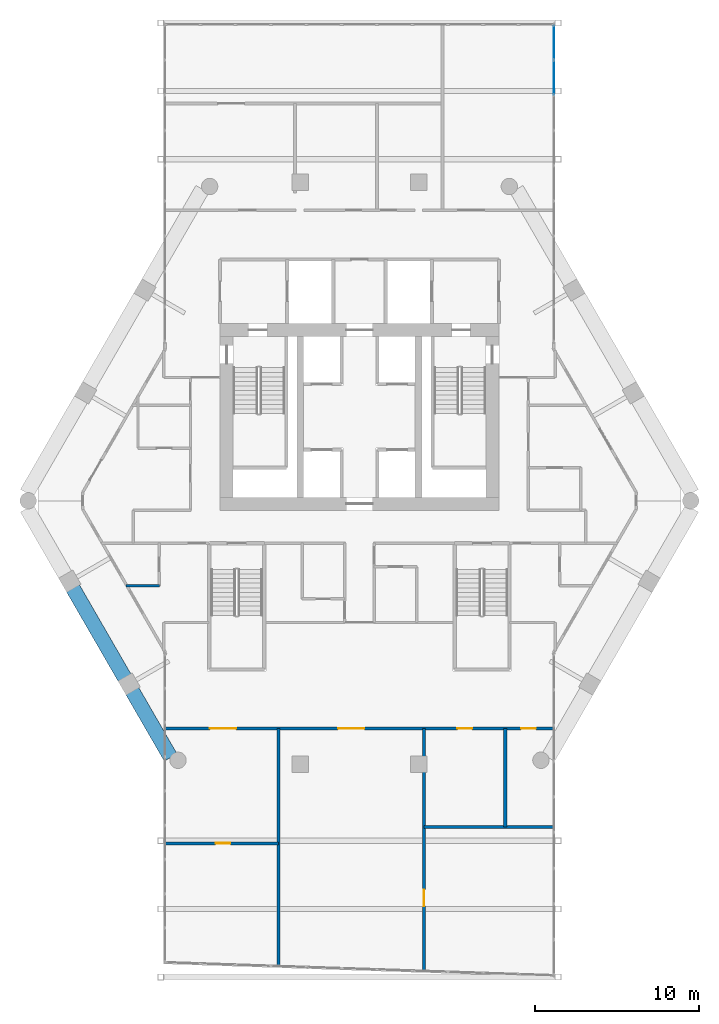
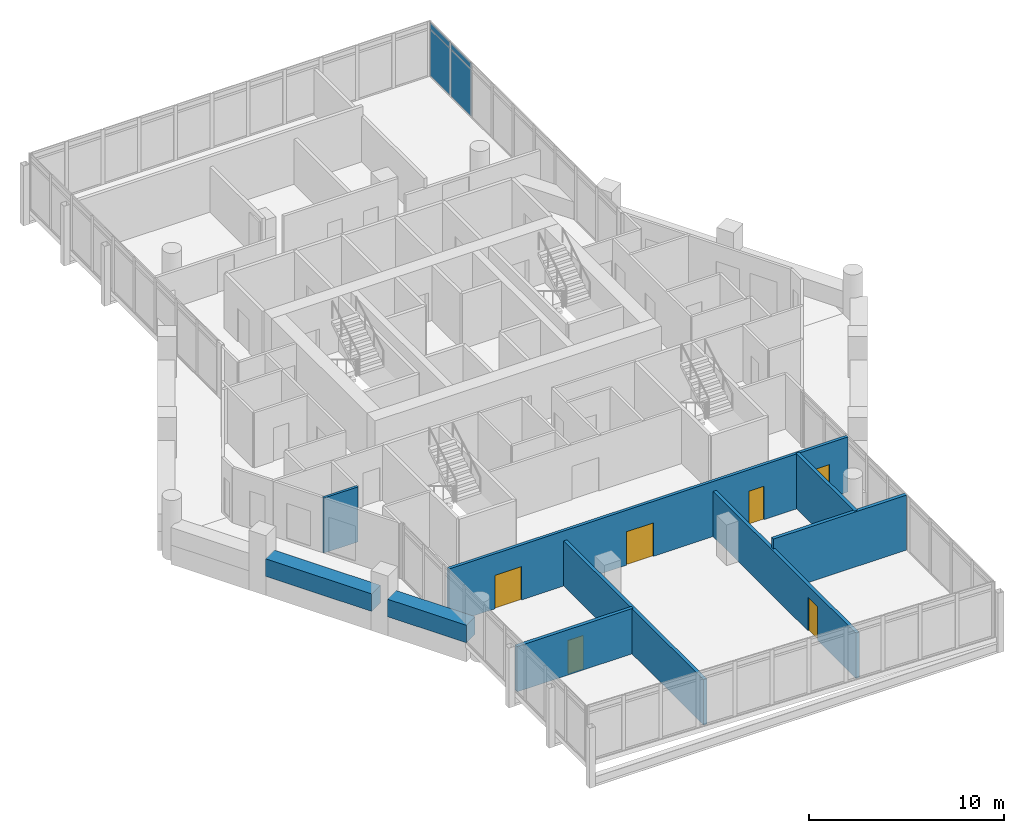
# One storey, part 24 of 29: 9 walls, 6 doors, 4 plates, 6 openings, 1 element without a shape of its own.
"""IFC4 building model written with IfcOpenShell, lengths in metres."""

from ifc_helpers import new_model, si_unit, direction, frame, frame_2d, origin, origin_2d, place, context, subcontext, project, spatial, rectangle, extrude, material, layer, layer_set, type_object, element, fill, aggregate, save


model = new_model("IFC4")

# Units and contexts
model_context = context("Model", 3, precision=1e-05, world=origin(), true_north=direction((0.0, 1.0)))
body_context = subcontext(model_context, "Body", "Model", "MODEL_VIEW")
ifc_project = project(units=[si_unit("LENGTHUNIT", "METRE"), si_unit("AREAUNIT", "SQUARE_METRE"), si_unit("VOLUMEUNIT", "CUBIC_METRE"), si_unit("PLANEANGLEUNIT", "RADIAN"), si_unit("MASSUNIT", "GRAM", prefix="KILO")], contexts=[model_context])

# Site, building, storey
site_placement = place(None, origin())
site = spatial("IfcSite", under=ifc_project, at=site_placement, CompositionType="ELEMENT")
building_placement = place(site_placement, origin())
building = spatial("IfcBuilding", under=site, at=building_placement, Name="Ostrander Bayou Hotel Tower", CompositionType="ELEMENT")
storey_placement = place(building_placement, frame((0.0, 0.0, 202.0)))
storey = spatial("IfcBuildingStorey", under=building, at=storey_placement, Name="L50", CompositionType="ELEMENT", Elevation=202.0)

# Curtain wall, plates
ifc_material_1 = material(Name="Aluminium and clear glass", Category="aluminium")
curtain_wall_type = type_object("IfcCurtainWallType", Name="CW-BAR glazed wall", PredefinedType="NOTDEFINED", material=ifc_material_1)
curtain_wall_placement = place(storey_placement, origin())
curtain_wall = element("IfcCurtainWall", 1, at=curtain_wall_placement, inside=storey, type_object=curtain_wall_type, Name="CW-BAR L50:SB4N:W", PredefinedType="NOTDEFINED")
ifc_material_2 = material(Name="Clear laminated glass", Category="glass")
ifc_layer_1 = layer(ifc_material_2, 0.028076171875)
ifc_layer_set_1 = layer_set([ifc_layer_1], Name="CW-BR glazing panel 28 mm")
plate_type = type_object("IfcPlateType", Name="CW-BR glazing panel 28 mm", PredefinedType="CURTAIN_PANEL", material=ifc_layer_set_1)
plate_1_placement = place(storey_placement, frame((11.857177734375, 24.69091796875, 0.06005859375), z_axis=(0.0, 0.0, 1.0), x_axis=(0.0, 1.0, 0.0)))
plate_1 = element("IfcPlate", 2, at=plate_1_placement, type_object=plate_type, Name="CW-BAR panel 8.1", PredefinedType="CURTAIN_PANEL", context=body_context, shape_type="SweptSolid", body=[
    extrude(rectangle(XDim=2.090087890625, YDim=0.028076171875, at=origin_2d()), origin(), (0.0, 0.0, 1.0), 2.909912109375),
])
plate_2_placement = place(storey_placement, frame((11.857177734375, 24.69091796875, 3.02978515625), z_axis=(0.0, 0.0, 1.0), x_axis=(0.0, 1.0, 0.0)))
plate_2 = element("IfcPlate", 3, at=plate_2_placement, type_object=plate_type, Name="CW-BAR panel 8.2", PredefinedType="CURTAIN_PANEL", context=body_context, shape_type="SweptSolid", body=[
    extrude(rectangle(XDim=2.090087890625, YDim=0.028076171875, at=origin_2d()), origin(), (0.0, 0.0, 1.0), 0.360107421875),
])
plate_3_placement = place(storey_placement, frame((11.857177734375, 26.825927734375, 0.06005859375), z_axis=(0.0, 0.0, 1.0), x_axis=(0.0, 1.0, 0.0)))
plate_3 = element("IfcPlate", 4, at=plate_3_placement, type_object=plate_type, Name="CW-BAR panel 9.1", PredefinedType="CURTAIN_PANEL", context=body_context, shape_type="SweptSolid", body=[
    extrude(rectangle(XDim=2.060302734375, YDim=0.028076171875, at=origin_2d()), origin(), (0.0, 0.0, 1.0), 2.909912109375),
])
plate_4_placement = place(storey_placement, frame((11.857177734375, 26.825927734375, 3.02978515625), z_axis=(0.0, 0.0, 1.0), x_axis=(0.0, 1.0, 0.0)))
plate_4 = element("IfcPlate", 5, at=plate_4_placement, type_object=plate_type, Name="CW-BAR panel 9.2", PredefinedType="CURTAIN_PANEL", context=body_context, shape_type="SweptSolid", body=[
    extrude(rectangle(XDim=2.060302734375, YDim=0.028076171875, at=origin_2d()), origin(), (0.0, 0.0, 1.0), 0.360107421875),
])
aggregate(curtain_wall, [plate_1, plate_2, plate_3, plate_4])

# Walls
ifc_material_3 = material(Name="Limestone masonry", Category="masonry")
ifc_layer_2 = layer(ifc_material_3, 0.89990234375)
ifc_layer_set_2 = layer_set([ifc_layer_2], Name="PA2 limestone parapet 900 mm")
wall_type_1 = type_object("IfcWallType", Name="PA2 limestone parapet 900 mm", PredefinedType="PARAPET", material=ifc_layer_set_2)
wall_1_placement = place(storey_placement, frame((-17.465576171875, -6.44873046875, 0.0), z_axis=(0.0, 0.0, 1.0), x_axis=(0.500013351051, -0.866017695414, 0.0)))
element("IfcWall", 6, at=wall_1_placement, inside=storey, type_object=wall_type_1, Name="PA2 L50 SW-2", PredefinedType="PARAPET", context=body_context, shape_type="SweptSolid", body=[
    extrude(rectangle(XDim=6.296142578125, YDim=0.89990234375, at=frame_2d((3.14794921875, 0.0))), origin(), (0.0, 0.0, 1.0), 1.10009765625),
])
wall_2_placement = place(storey_placement, frame((-13.847412109375, -12.71533203125, 0.0), z_axis=(0.0, 0.0, 1.0), x_axis=(0.499966354109, -0.866044828377, 0.0)))
element("IfcWall", 7, at=wall_2_placement, inside=storey, type_object=wall_type_1, Name="PA2 L50 SW-3", PredefinedType="PARAPET", context=body_context, shape_type="SweptSolid", body=[
    extrude(rectangle(XDim=4.678955078125, YDim=0.89990234375, at=frame_2d((2.33935546875, 0.0))), origin(), (0.0, 0.0, 1.0), 1.10009765625),
])

# Wall, opening, door
ifc_material_4 = material(Name="Gypsum board partition", Category="finish")
ifc_layer_3 = layer(ifc_material_4, 0.199951171875)
ifc_layer_set_3 = layer_set([ifc_layer_3], Name="PT3 demising wall 200 mm acoustic double stud, 1 hour")
wall_type_2 = type_object("IfcWallType", Name="PT3 demising wall 200 mm acoustic double stud, 1 hour", PredefinedType="PARTITIONING", material=ifc_layer_set_3)
wall_3_placement = place(storey_placement, frame((-11.838134765625, -22.0, 0.0), z_axis=(0.0, 0.0, 1.0), x_axis=(1.0, 0.0, 0.0)))
wall_3 = element("IfcWall", 8, at=wall_3_placement, inside=storey, type_object=wall_type_2, Name="sw:L50:504", PredefinedType="PARTITIONING", context=body_context, shape_type="SweptSolid", body=[
    extrude(rectangle(XDim=6.906005859375, YDim=0.199951171875, at=frame_2d((3.453125, 0.0))), origin(), (0.0, 0.0, 1.0), 2.8388671875),
])
opening_1_placement = place(wall_3_placement, frame((3.071044921875, 0.0, 0.0)))
opening_1 = element("IfcOpeningElement", 9, at=opening_1_placement, cuts=wall_3, Name="Opening T50-1201", PredefinedType="OPENING", context=body_context, shape_type="SweptSolid", body=[
    extrude(rectangle(XDim=0.89990234375, YDim=2.10009765625, at=frame_2d((0.449951171875, 1.050048828125))), frame((0.0, 0.10009765625, 0.0), z_axis=(0.0, -1.0, 0.0), x_axis=(1.0, 0.0, 0.0)), (0.0, 0.0, 1.0), 0.199951171875),
])
ifc_material_5 = material(Name="Timber door leaf", Category="wood")
door_type_1 = type_object("IfcDoorType", Name="D8 room door 900 x 2100 mm", OperationType="SINGLE_SWING_LEFT", PredefinedType="DOOR", material=ifc_material_5)
door_1_placement = place(opening_1_placement, origin())
door_1 = element("IfcDoor", 10, at=door_1_placement, inside=storey, type_object=door_type_1, Name="dr:L50:1201", OperationType="SINGLE_SWING_LEFT", OverallHeight=2.10009765625, OverallWidth=0.89990234375, PredefinedType="DOOR", context=body_context, shape_type="SweptSolid", body=[
    extrude(rectangle(XDim=0.89990234375, YDim=2.10009765625, at=frame_2d((0.449951171875, 1.050048828125))), frame((0.0, 0.02490234375, 0.0), z_axis=(0.0, -1.0, 0.0), x_axis=(1.0, 0.0, 0.0)), (0.0, 0.0, 1.0), 0.050048828125),
])
fill(opening_1, door_1)

# Walls
wall_4_placement = place(storey_placement, frame((3.93212890625, -21.0, 0.0), z_axis=(0.0, 0.0, 1.0), x_axis=(1.0, 0.0, 0.0)))
element("IfcWall", 11, at=wall_4_placement, inside=storey, type_object=wall_type_2, Name="sw:L50:505", PredefinedType="PARTITIONING", context=body_context, shape_type="SweptSolid", body=[
    extrude(rectangle(XDim=7.906005859375, YDim=0.199951171875, at=frame_2d((3.953125, 0.0))), origin(), (0.0, 0.0, 1.0), 3.449951171875),
])
wall_5_placement = place(storey_placement, frame((-4.931884765625, -29.4658203125, 0.0), z_axis=(0.0, 0.0, 1.0), x_axis=(0.0, 1.0, 0.0)))
element("IfcWall", 12, at=wall_5_placement, inside=storey, type_object=wall_type_2, Name="sw:L50:507", PredefinedType="PARTITIONING", context=body_context, shape_type="SweptSolid", body=[
    extrude(rectangle(XDim=14.4658203125, YDim=0.199951171875, at=frame_2d((7.23291015625, 0.0))), origin(), (0.0, 0.0, 1.0), 2.8388671875),
])

# Wall, opening, door
wall_6_placement = place(storey_placement, frame((3.931884765625, -29.7626953125, 0.0), z_axis=(0.0, 0.0, 1.0), x_axis=(0.0, 1.0, 0.0)))
wall_6 = element("IfcWall", 13, at=wall_6_placement, inside=storey, type_object=wall_type_2, Name="sw:L50:510", PredefinedType="PARTITIONING", context=body_context, shape_type="SweptSolid", body=[
    extrude(rectangle(XDim=14.7626953125, YDim=0.199951171875, at=frame_2d((7.38134765625, 0.0))), origin(), (0.0, 0.0, 1.0), 2.8388671875),
])
opening_2_placement = place(wall_6_placement, frame((3.93701171875, 0.0, 0.0)))
opening_2 = element("IfcOpeningElement", 14, at=opening_2_placement, cuts=wall_6, Name="Opening T50-1202", PredefinedType="OPENING", context=body_context, shape_type="SweptSolid", body=[
    extrude(rectangle(XDim=1.0, YDim=2.10009765625, at=frame_2d((0.5, 1.050048828125))), frame((0.0, 0.10009765625, 0.0), z_axis=(0.0, -1.0, 0.0), x_axis=(1.0, 0.0, 0.0)), (0.0, 0.0, 1.0), 0.199951171875),
])
ifc_material_6 = material(Name="Timber door leaf", Category="wood")
door_type_2 = type_object("IfcDoorType", Name="D9 service door 1000 x 2100 mm, 30 minute", OperationType="SINGLE_SWING_LEFT", PredefinedType="DOOR", material=ifc_material_6)
door_2_placement = place(opening_2_placement, origin())
door_2 = element("IfcDoor", 15, at=door_2_placement, inside=storey, type_object=door_type_2, Name="dr:L50:1202", OperationType="SINGLE_SWING_RIGHT", OverallHeight=2.10009765625, OverallWidth=1.0, PredefinedType="DOOR", context=body_context, shape_type="SweptSolid", body=[
    extrude(rectangle(XDim=1.0, YDim=2.10009765625, at=frame_2d((0.5, 1.050048828125))), frame((0.0, 0.02490234375, 0.0), z_axis=(0.0, -1.0, 0.0), x_axis=(1.0, 0.0, 0.0)), (0.0, 0.0, 1.0), 0.050048828125),
])
fill(opening_2, door_2)

# Wall
wall_7_placement = place(storey_placement, frame((8.89208984375, -21.0, 0.0), z_axis=(0.0, 0.0, 1.0), x_axis=(0.0, 1.0, 0.0)))
element("IfcWall", 16, at=wall_7_placement, inside=storey, type_object=wall_type_2, Name="sw:L50:512", PredefinedType="PARTITIONING", context=body_context, shape_type="SweptSolid", body=[
    extrude(rectangle(XDim=6.0, YDim=0.199951171875, at=frame_2d((3.0, 0.0))), origin(), (0.0, 0.0, 1.0), 3.449951171875),
])

# Wall, openings, doors
ifc_material_7 = material(Name="Gypsum board partition", Category="finish")
ifc_layer_4 = layer(ifc_material_7, 0.175048828125)
ifc_layer_set_4 = layer_set([ifc_layer_4], Name="PT4 corridor wall 175 mm, 1 hour")
wall_type_3 = type_object("IfcWallType", Name="PT4 corridor wall 175 mm, 1 hour", PredefinedType="PARTITIONING", material=ifc_layer_set_4)
wall_8_placement = place(storey_placement, frame((-11.838134765625, -15.0, 0.0), z_axis=(0.0, 0.0, 1.0), x_axis=(1.0, 0.0, 0.0)))
wall_8 = element("IfcWall", 17, at=wall_8_placement, inside=storey, type_object=wall_type_3, Name="sw:L50:500", PredefinedType="PARTITIONING", context=body_context, shape_type="SweptSolid", body=[
    extrude(rectangle(XDim=23.67626953125, YDim=0.175048828125, at=frame_2d((11.838134765625, 0.0))), origin(), (0.0, 0.0, 1.0), 3.449951171875),
])
opening_3_placement = place(wall_8_placement, frame((2.720947265625, 0.0, 0.0)))
opening_3 = element("IfcOpeningElement", 18, at=opening_3_placement, cuts=wall_8, Name="Opening T50-1200", PredefinedType="OPENING", context=body_context, shape_type="SweptSolid", body=[
    extrude(rectangle(XDim=1.60009765625, YDim=2.10009765625, at=frame_2d((0.800048828125, 1.050048828125))), frame((0.0, 0.08740234375, 0.0), z_axis=(0.0, -1.0, 0.0), x_axis=(1.0, 0.0, 0.0)), (0.0, 0.0, 1.0), 0.175048828125),
])
opening_4_placement = place(wall_8_placement, frame((17.80029296875, 0.0, 0.0)))
opening_4 = element("IfcOpeningElement", 19, at=opening_4_placement, cuts=wall_8, Name="Opening T50-1203", PredefinedType="OPENING", context=body_context, shape_type="SweptSolid", body=[
    extrude(rectangle(XDim=0.89990234375, YDim=2.10009765625, at=frame_2d((0.449951171875, 1.050048828125))), frame((0.0, 0.08740234375, 0.0), z_axis=(0.0, -1.0, 0.0), x_axis=(1.0, 0.0, 0.0)), (0.0, 0.0, 1.0), 0.175048828125),
])
opening_5_placement = place(wall_8_placement, frame((21.685302734375, 0.0, 0.0)))
opening_5 = element("IfcOpeningElement", 20, at=opening_5_placement, cuts=wall_8, Name="Opening T50-1204", PredefinedType="OPENING", context=body_context, shape_type="SweptSolid", body=[
    extrude(rectangle(XDim=0.89990234375, YDim=2.10009765625, at=frame_2d((0.449951171875, 1.050048828125))), frame((0.0, 0.08740234375, 0.0), z_axis=(0.0, -1.0, 0.0), x_axis=(1.0, 0.0, 0.0)), (0.0, 0.0, 1.0), 0.175048828125),
])
opening_6_placement = place(wall_8_placement, frame((10.5380859375, 0.0, 0.0)))
opening_6 = element("IfcOpeningElement", 21, at=opening_6_placement, cuts=wall_8, Name="Opening T50-1205", PredefinedType="OPENING", context=body_context, shape_type="SweptSolid", body=[
    extrude(rectangle(XDim=1.60009765625, YDim=2.10009765625, at=frame_2d((0.800048828125, 1.050048828125))), frame((0.0, 0.08740234375, 0.0), z_axis=(0.0, -1.0, 0.0), x_axis=(1.0, 0.0, 0.0)), (0.0, 0.0, 1.0), 0.175048828125),
])
ifc_material_8 = material(Name="Timber door leaf", Category="wood")
door_type_3 = type_object("IfcDoorType", Name="D13 double door 1600 x 2100 mm, 1 hour", OperationType="SINGLE_SWING_LEFT", PredefinedType="DOOR", material=ifc_material_8)
door_3_placement = place(opening_3_placement, origin())
door_3 = element("IfcDoor", 22, at=door_3_placement, inside=storey, type_object=door_type_3, Name="dr:L50:1200", OperationType="DOUBLE_DOOR_SINGLE_SWING", OverallHeight=2.10009765625, OverallWidth=1.60009765625, PredefinedType="DOOR", context=body_context, shape_type="SweptSolid", body=[
    extrude(rectangle(XDim=1.60009765625, YDim=2.10009765625, at=frame_2d((0.800048828125, 1.050048828125))), frame((0.0, 0.02490234375, 0.0), z_axis=(0.0, -1.0, 0.0), x_axis=(1.0, 0.0, 0.0)), (0.0, 0.0, 1.0), 0.050048828125),
])
fill(opening_3, door_3)
door_4_placement = place(opening_6_placement, origin())
door_4 = element("IfcDoor", 23, at=door_4_placement, inside=storey, type_object=door_type_3, Name="dr:L50:1205", OperationType="DOUBLE_DOOR_SINGLE_SWING", OverallHeight=2.10009765625, OverallWidth=1.60009765625, PredefinedType="DOOR", context=body_context, shape_type="SweptSolid", body=[
    extrude(rectangle(XDim=1.60009765625, YDim=2.10009765625, at=frame_2d((0.800048828125, 1.050048828125))), frame((0.0, 0.02490234375, 0.0), z_axis=(0.0, -1.0, 0.0), x_axis=(1.0, 0.0, 0.0)), (0.0, 0.0, 1.0), 0.050048828125),
])
fill(opening_6, door_4)
door_5_placement = place(opening_4_placement, origin())
door_5 = element("IfcDoor", 24, at=door_5_placement, inside=storey, type_object=door_type_1, Name="dr:L50:1203", OperationType="SINGLE_SWING_LEFT", OverallHeight=2.10009765625, OverallWidth=0.89990234375, PredefinedType="DOOR", context=body_context, shape_type="SweptSolid", body=[
    extrude(rectangle(XDim=0.89990234375, YDim=2.10009765625, at=frame_2d((0.449951171875, 1.050048828125))), frame((0.0, 0.02490234375, 0.0), z_axis=(0.0, -1.0, 0.0), x_axis=(1.0, 0.0, 0.0)), (0.0, 0.0, 1.0), 0.050048828125),
])
fill(opening_4, door_5)
door_6_placement = place(opening_5_placement, origin())
door_6 = element("IfcDoor", 25, at=door_6_placement, inside=storey, type_object=door_type_1, Name="dr:L50:1204", OperationType="SINGLE_SWING_RIGHT", OverallHeight=2.10009765625, OverallWidth=0.89990234375, PredefinedType="DOOR", context=body_context, shape_type="SweptSolid", body=[
    extrude(rectangle(XDim=0.89990234375, YDim=2.10009765625, at=frame_2d((0.449951171875, 1.050048828125))), frame((0.0, 0.02490234375, 0.0), z_axis=(0.0, -1.0, 0.0), x_axis=(1.0, 0.0, 0.0)), (0.0, 0.0, 1.0), 0.050048828125),
])
fill(opening_5, door_6)

# Wall
ifc_material_9 = material(Name="Gypsum board partition", Category="finish")
ifc_layer_5 = layer(ifc_material_9, 0.14990234375)
ifc_layer_set_5 = layer_set([ifc_layer_5], Name="PT8 service band wall 150 mm, 1 hour")
wall_type_4 = type_object("IfcWallType", Name="PT8 service band wall 150 mm, 1 hour", PredefinedType="PARTITIONING", material=ifc_layer_set_5)
wall_9_placement = place(storey_placement, frame((-14.22607421875, -6.300048828125, 0.0), z_axis=(0.0, 0.0, 1.0), x_axis=(1.0, 0.0, 0.0)))
element("IfcWall", 26, at=wall_9_placement, inside=storey, type_object=wall_type_4, Name="gw:L50:005", PredefinedType="PARTITIONING", context=body_context, shape_type="SweptSolid", body=[
    extrude(rectangle(XDim=2.026123046875, YDim=0.14990234375, at=frame_2d((1.01318359375, 0.0))), origin(), (0.0, 0.0, 1.0), 3.449951171875),
])

save(model, "model.ifc")
